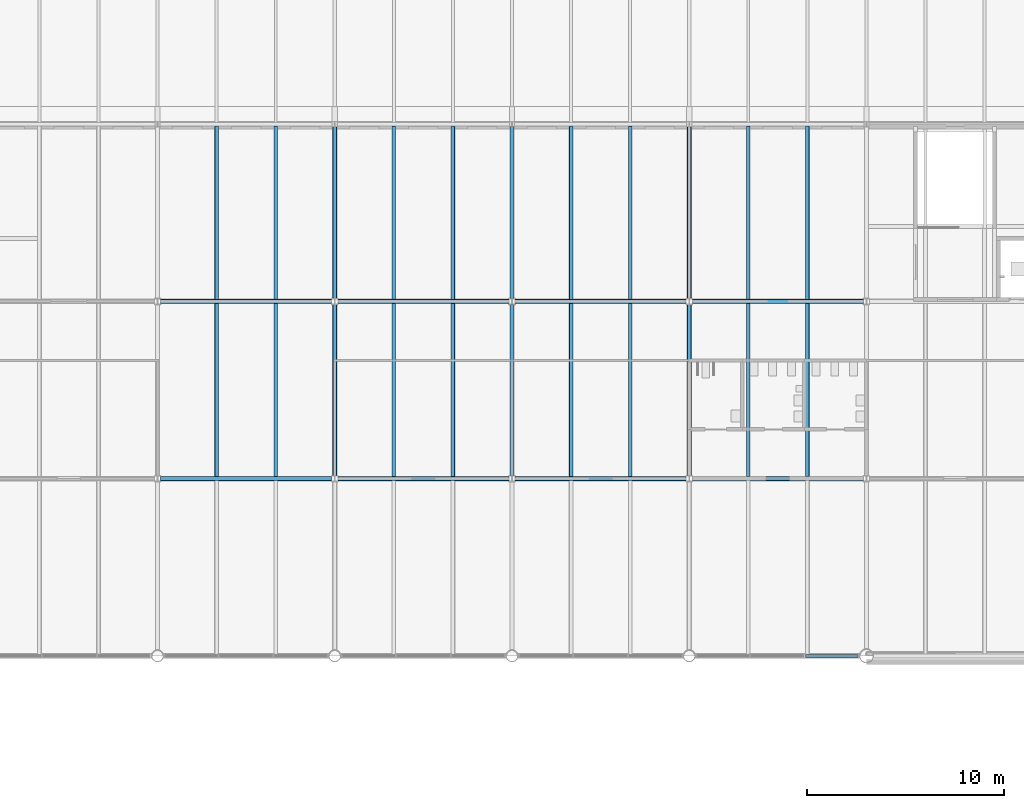
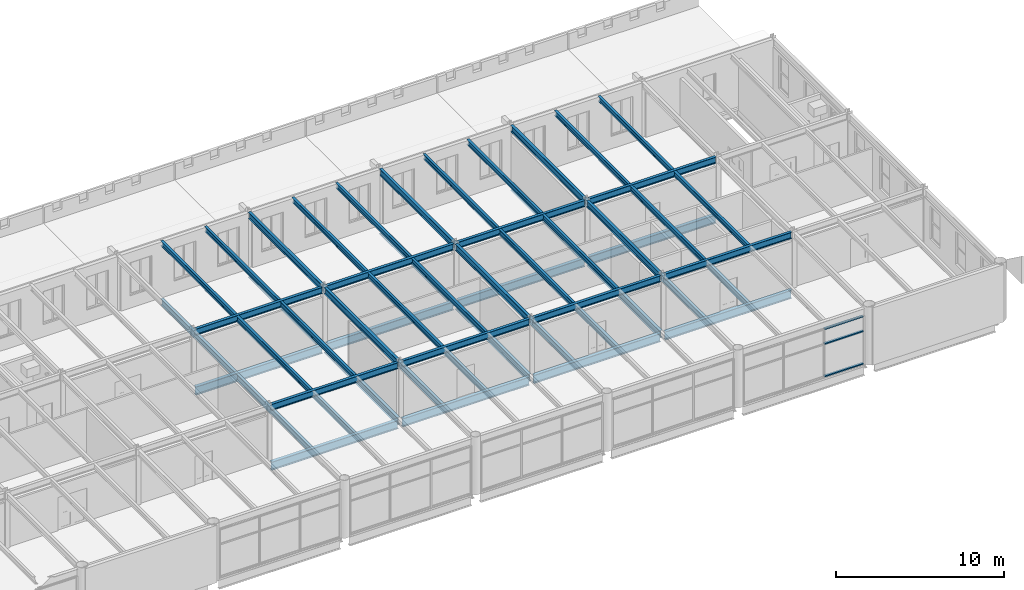
# One storey, part 48 of 123: 60 beams, 3 members, 1 element without a shape of its own.
"""IFC4 building model written with IfcOpenShell, lengths in metres."""

from ifc_helpers import new_model, si_unit, direction, frame, origin, origin_2d, place, context, subcontext, project, spatial, rectangle, i_section, extrude, material, material_profile, profile_set, type_object, element, aggregate, save


model = new_model("IFC4")

# Units and contexts
model_context = context("Model", 3, precision=1e-05, world=origin(), true_north=direction((0.0, 1.0)))
body_context = subcontext(model_context, "Body", "Model", "MODEL_VIEW")
ifc_project = project(units=[si_unit("LENGTHUNIT", "METRE"), si_unit("AREAUNIT", "SQUARE_METRE"), si_unit("VOLUMEUNIT", "CUBIC_METRE"), si_unit("PLANEANGLEUNIT", "RADIAN"), si_unit("MASSUNIT", "GRAM", prefix="KILO")], contexts=[model_context])

# Site, building, storey
site_placement = place(None, origin())
site = spatial("IfcSite", under=ifc_project, at=site_placement, CompositionType="ELEMENT")
building_placement = place(site_placement, origin())
building = spatial("IfcBuilding", under=site, at=building_placement, Name="Baradari Gate Terminus", CompositionType="ELEMENT")
storey_placement = place(building_placement, frame((0.0, 0.0, 7.5)))
storey = spatial("IfcBuildingStorey", under=building, at=storey_placement, Name="L01", CompositionType="ELEMENT", Elevation=7.5)

# Curtain wall, members
ifc_material_1 = material(Name="Aluminium 6063-T6", Category="aluminium")
curtain_wall_type = type_object("IfcCurtainWallType", Name="Curtain wall CW-13 concourse gallery glazing", PredefinedType="NOTDEFINED", material=ifc_material_1)
curtain_wall_placement = place(storey_placement, origin())
curtain_wall = element("IfcCurtainWall", 1, at=curtain_wall_placement, inside=storey, type_object=curtain_wall_type, Name="Glazed curtain wall CW-13 HS bay 26 L01", PredefinedType="NOTDEFINED")
ifc_material_2 = material(Name="Aluminium 6063-T6", Category="aluminium")
ifc_material_profile_1 = material_profile(ifc_material_2, rectangle(XDim=0.159912109375, YDim=0.080078125, at=origin_2d()), Name="CT-13 80X160")
ifc_profile_set_1 = profile_set([ifc_material_profile_1], Name="Aluminium 6063-T6")
member_type = type_object("IfcMemberType", Name="Curtain wall transom CT-13 80x160", PredefinedType="USERDEFINED", material=ifc_profile_set_1)
member_1_placement = place(storey_placement, frame((230.90478515625, 81.0, 0.0400390625), z_axis=(1.0, 0.0, 0.0), x_axis=(0.0, 1.0, 0.0)))
member_1 = element("IfcMember", 2, at=member_1_placement, type_object=member_type, Name="CW-13 transom 3.1", ObjectType="TRANSOM", PredefinedType="USERDEFINED", context=body_context, shape_type="SweptSolid", body=[
    extrude(rectangle(XDim=0.159912109375, YDim=0.080078125, at=origin_2d()), origin(), (0.0, 0.0, 1.0), 2.65966796875),
])
member_2_placement = place(storey_placement, frame((230.90478515625, 81.0, 2.39990234375), z_axis=(1.0, 0.0, 0.0), x_axis=(0.0, 1.0, 0.0)))
member_2 = element("IfcMember", 3, at=member_2_placement, type_object=member_type, Name="CW-13 transom 3.2", ObjectType="TRANSOM", PredefinedType="USERDEFINED", context=body_context, shape_type="SweptSolid", body=[
    extrude(rectangle(XDim=0.159912109375, YDim=0.080078125, at=origin_2d()), origin(), (0.0, 0.0, 1.0), 2.65966796875),
])
member_3_placement = place(storey_placement, frame((230.90478515625, 81.0, 3.476806640625), z_axis=(1.0, 0.0, 0.0), x_axis=(0.0, 1.0, 0.0)))
member_3 = element("IfcMember", 4, at=member_3_placement, type_object=member_type, Name="CW-13 transom 3.3", ObjectType="TRANSOM", PredefinedType="USERDEFINED", context=body_context, shape_type="SweptSolid", body=[
    extrude(rectangle(XDim=0.159912109375, YDim=0.080078125, at=origin_2d()), origin(), (0.0, 0.0, 1.0), 2.65966796875),
])
aggregate(curtain_wall, [member_1, member_2, member_3])

# Beams
ifc_material_3 = material(Name="Steel S355", Category="steel")
ifc_material_profile_2 = material_profile(ifc_material_3, i_section(OverallWidth=0.210693359375, OverallDepth=0.53955078125, WebThickness=0.01171875, FlangeThickness=0.018798828125, FilletRadius=0.0126953125, at=origin_2d()), Name="UB 533x210x109")
ifc_profile_set_2 = profile_set([ifc_material_profile_2], Name="Steel S355")
beam_type_1 = type_object("IfcBeamType", Name="Head-house cross girder B12 UB 533x210x109", PredefinedType="BEAM", material=ifc_profile_set_2)
beam_1_placement = place(storey_placement, frame((207.0, 90.1572265625, -0.399658203125), z_axis=(0.0, 1.0, 0.0), x_axis=(-1.0, 0.0, 0.0)))
element("IfcBeam", 5, at=beam_1_placement, inside=storey, type_object=beam_type_1, Name="Head-house cross girder B12 24:90.157-98.843 L01", PredefinedType="BEAM", context=body_context, shape_type="SweptSolid", body=[
    extrude(i_section(OverallWidth=0.210693359375, OverallDepth=0.53955078125, WebThickness=0.01171875, FlangeThickness=0.018798828125, FilletRadius=0.0126953125, at=origin_2d()), origin(), (0.0, 0.0, 1.0), 8.685546875),
])
beam_2_placement = place(storey_placement, frame((207.0, 99.1572265625, -0.399658203125), z_axis=(0.0, 1.0, 0.0), x_axis=(-1.0, 0.0, 0.0)))
element("IfcBeam", 6, at=beam_2_placement, inside=storey, type_object=beam_type_1, Name="Head-house cross girder B12 24:99.157-107.87 L01", PredefinedType="BEAM", context=body_context, shape_type="SweptSolid", body=[
    extrude(i_section(OverallWidth=0.210693359375, OverallDepth=0.53955078125, WebThickness=0.01171875, FlangeThickness=0.018798828125, FilletRadius=0.0126953125, at=origin_2d()), origin(), (0.0, 0.0, 1.0), 8.712646484375),
])
beam_3_placement = place(storey_placement, frame((216.0, 90.1572265625, -0.399658203125), z_axis=(0.0, 1.0, 0.0), x_axis=(-1.0, 0.0, 0.0)))
element("IfcBeam", 7, at=beam_3_placement, inside=storey, type_object=beam_type_1, Name="Head-house cross girder B12 25:90.157-98.843 L01", PredefinedType="BEAM", context=body_context, shape_type="SweptSolid", body=[
    extrude(i_section(OverallWidth=0.210693359375, OverallDepth=0.53955078125, WebThickness=0.01171875, FlangeThickness=0.018798828125, FilletRadius=0.0126953125, at=origin_2d()), origin(), (0.0, 0.0, 1.0), 8.685546875),
])
beam_4_placement = place(storey_placement, frame((216.0, 99.1572265625, -0.399658203125), z_axis=(0.0, 1.0, 0.0), x_axis=(-1.0, 0.0, 0.0)))
element("IfcBeam", 8, at=beam_4_placement, inside=storey, type_object=beam_type_1, Name="Head-house cross girder B12 25:99.157-107.87 L01", PredefinedType="BEAM", context=body_context, shape_type="SweptSolid", body=[
    extrude(i_section(OverallWidth=0.210693359375, OverallDepth=0.53955078125, WebThickness=0.01171875, FlangeThickness=0.018798828125, FilletRadius=0.0126953125, at=origin_2d()), origin(), (0.0, 0.0, 1.0), 8.712646484375),
])
beam_5_placement = place(storey_placement, frame((225.0, 90.1572265625, -0.399658203125), z_axis=(0.0, 1.0, 0.0), x_axis=(-1.0, 0.0, 0.0)))
element("IfcBeam", 9, at=beam_5_placement, inside=storey, type_object=beam_type_1, Name="Head-house cross girder B12 26:90.157-98.843 L01", PredefinedType="BEAM", context=body_context, shape_type="SweptSolid", body=[
    extrude(i_section(OverallWidth=0.210693359375, OverallDepth=0.53955078125, WebThickness=0.01171875, FlangeThickness=0.018798828125, FilletRadius=0.0126953125, at=origin_2d()), origin(), (0.0, 0.0, 1.0), 8.685546875),
])
beam_6_placement = place(storey_placement, frame((225.0, 99.1572265625, -0.399658203125), z_axis=(0.0, 1.0, 0.0), x_axis=(-1.0, 0.0, 0.0)))
element("IfcBeam", 10, at=beam_6_placement, inside=storey, type_object=beam_type_1, Name="Head-house cross girder B12 26:99.157-107.87 L01", PredefinedType="BEAM", context=body_context, shape_type="SweptSolid", body=[
    extrude(i_section(OverallWidth=0.210693359375, OverallDepth=0.53955078125, WebThickness=0.01171875, FlangeThickness=0.018798828125, FilletRadius=0.0126953125, at=origin_2d()), origin(), (0.0, 0.0, 1.0), 8.712646484375),
])
ifc_material_4 = material(Name="Steel S355", Category="steel")
ifc_material_profile_3 = material_profile(ifc_material_4, i_section(OverallWidth=0.22900390625, OverallDepth=0.6123046875, WebThickness=0.011962890625, FlangeThickness=0.01953125, FilletRadius=0.0126953125, at=origin_2d()), Name="UB 610x229x125")
ifc_profile_set_3 = profile_set([ifc_material_profile_3], Name="Steel S355")
beam_type_2 = type_object("IfcBeamType", Name="Head-house girder B09 UB 610x229x125", PredefinedType="BEAM", material=ifc_profile_set_3)
for number, where, z_axis, x_axis, name in (
    (11, (198.15380859375, 90.0, -0.43603515625), (1.0, 0.0, 0.0), (0.0, 1.0, 0.0), "Head-house girder B09 L:198.154-206.846 L01"),
    (12, (207.15380859375, 90.0, -0.43603515625), (1.0, 0.0, 0.0), (0.0, 1.0, 0.0), "Head-house girder B09 L:207.154-215.846 L01"),
    (13, (216.15380859375, 90.0, -0.43603515625), (1.0, 0.0, 0.0), (0.0, 1.0, 0.0), "Head-house girder B09 L:216.154-224.846 L01"),
    (14, (225.15380859375, 90.0, -0.43603515625), (1.0, 0.0, 0.0), (0.0, 1.0, 0.0), "Head-house girder B09 L:225.154-233.846 L01"),
    (15, (198.15380859375, 99.0, -0.43603515625), (1.0, 0.0, 0.0), (0.0, 1.0, 0.0), "Head-house girder B09 M:198.154-206.846 L01"),
    (16, (207.15380859375, 99.0, -0.43603515625), (1.0, 0.0, 0.0), (0.0, 1.0, 0.0), "Head-house girder B09 M:207.154-215.846 L01"),
    (17, (216.15380859375, 99.0, -0.43603515625), (1.0, 0.0, 0.0), (0.0, 1.0, 0.0), "Head-house girder B09 M:216.154-224.846 L01"),
    (18, (225.15380859375, 99.0, -0.43603515625), (1.0, 0.0, 0.0), (0.0, 1.0, 0.0), "Head-house girder B09 M:225.154-233.846 L01"),
):
    element("IfcBeam", number, at=place(storey_placement, frame(where, z_axis=z_axis, x_axis=x_axis)), inside=storey, type_object=beam_type_2, Name=name, PredefinedType="BEAM", context=body_context, shape_type="SweptSolid", body=[
        extrude(i_section(OverallWidth=0.22900390625, OverallDepth=0.6123046875, WebThickness=0.011962890625, FlangeThickness=0.01953125, FilletRadius=0.0126953125, at=origin_2d()), origin(), (0.0, 0.0, 1.0), 8.6923828125),
    ])
ifc_material_5 = material(Name="Steel S355", Category="steel")
ifc_material_profile_4 = material_profile(ifc_material_5, i_section(OverallWidth=0.1904296875, OverallDepth=0.45703125, WebThickness=0.009033203125, FlangeThickness=0.014404296875, FilletRadius=0.01025390625, at=origin_2d()), Name="UB 457x191x74")
ifc_profile_set_4 = profile_set([ifc_material_profile_4], Name="Steel S355")
beam_type_3 = type_object("IfcBeamType", Name="Head-house roof cross girder B51 UB 457x191x74", PredefinedType="BEAM", material=ifc_profile_set_4)
beam_7_placement = place(storey_placement, frame((207.0, 90.1572265625, 3.821533203125), z_axis=(0.0, 1.0, 0.0), x_axis=(-1.0, 0.0, 0.0)))
element("IfcBeam", 19, at=beam_7_placement, inside=storey, type_object=beam_type_3, Name="Head-house roof cross girder B51 24:90.157-98.843 L01", PredefinedType="BEAM", context=body_context, shape_type="SweptSolid", body=[
    extrude(i_section(OverallWidth=0.1904296875, OverallDepth=0.45703125, WebThickness=0.009033203125, FlangeThickness=0.014404296875, FilletRadius=0.01025390625, at=origin_2d()), origin(), (0.0, 0.0, 1.0), 8.685546875),
])
beam_8_placement = place(storey_placement, frame((207.0, 99.1572265625, 3.821533203125), z_axis=(0.0, 1.0, 0.0), x_axis=(-1.0, 0.0, 0.0)))
element("IfcBeam", 20, at=beam_8_placement, inside=storey, type_object=beam_type_3, Name="Head-house roof cross girder B51 24:99.157-107.87 L01", PredefinedType="BEAM", context=body_context, shape_type="SweptSolid", body=[
    extrude(i_section(OverallWidth=0.1904296875, OverallDepth=0.45703125, WebThickness=0.009033203125, FlangeThickness=0.014404296875, FilletRadius=0.01025390625, at=origin_2d()), origin(), (0.0, 0.0, 1.0), 8.712646484375),
])
beam_9_placement = place(storey_placement, frame((216.0, 90.1572265625, 3.821533203125), z_axis=(0.0, 1.0, 0.0), x_axis=(-1.0, 0.0, 0.0)))
element("IfcBeam", 21, at=beam_9_placement, inside=storey, type_object=beam_type_3, Name="Head-house roof cross girder B51 25:90.157-98.843 L01", PredefinedType="BEAM", context=body_context, shape_type="SweptSolid", body=[
    extrude(i_section(OverallWidth=0.1904296875, OverallDepth=0.45703125, WebThickness=0.009033203125, FlangeThickness=0.014404296875, FilletRadius=0.01025390625, at=origin_2d()), origin(), (0.0, 0.0, 1.0), 8.685546875),
])
beam_10_placement = place(storey_placement, frame((216.0, 99.1572265625, 3.821533203125), z_axis=(0.0, 1.0, 0.0), x_axis=(-1.0, 0.0, 0.0)))
element("IfcBeam", 22, at=beam_10_placement, inside=storey, type_object=beam_type_3, Name="Head-house roof cross girder B51 25:99.157-107.87 L01", PredefinedType="BEAM", context=body_context, shape_type="SweptSolid", body=[
    extrude(i_section(OverallWidth=0.1904296875, OverallDepth=0.45703125, WebThickness=0.009033203125, FlangeThickness=0.014404296875, FilletRadius=0.01025390625, at=origin_2d()), origin(), (0.0, 0.0, 1.0), 8.712646484375),
])
beam_11_placement = place(storey_placement, frame((225.0, 90.1572265625, 3.821533203125), z_axis=(0.0, 1.0, 0.0), x_axis=(-1.0, 0.0, 0.0)))
element("IfcBeam", 23, at=beam_11_placement, inside=storey, type_object=beam_type_3, Name="Head-house roof cross girder B51 26:90.157-98.843 L01", PredefinedType="BEAM", context=body_context, shape_type="SweptSolid", body=[
    extrude(i_section(OverallWidth=0.1904296875, OverallDepth=0.45703125, WebThickness=0.009033203125, FlangeThickness=0.014404296875, FilletRadius=0.01025390625, at=origin_2d()), origin(), (0.0, 0.0, 1.0), 8.685546875),
])
beam_12_placement = place(storey_placement, frame((225.0, 99.1572265625, 3.821533203125), z_axis=(0.0, 1.0, 0.0), x_axis=(-1.0, 0.0, 0.0)))
element("IfcBeam", 24, at=beam_12_placement, inside=storey, type_object=beam_type_3, Name="Head-house roof cross girder B51 26:99.157-107.87 L01", PredefinedType="BEAM", context=body_context, shape_type="SweptSolid", body=[
    extrude(i_section(OverallWidth=0.1904296875, OverallDepth=0.45703125, WebThickness=0.009033203125, FlangeThickness=0.014404296875, FilletRadius=0.01025390625, at=origin_2d()), origin(), (0.0, 0.0, 1.0), 8.712646484375),
])
ifc_material_6 = material(Name="Steel S355", Category="steel")
ifc_material_profile_5 = material_profile(ifc_material_6, i_section(OverallWidth=0.19140625, OverallDepth=0.4599609375, WebThickness=0.010009765625, FlangeThickness=0.01611328125, FilletRadius=0.01025390625, at=origin_2d()), Name="UB 457x191x82")
ifc_profile_set_5 = profile_set([ifc_material_profile_5], Name="Steel S355")
beam_type_4 = type_object("IfcBeamType", Name="Head-house roof girder B49 UB 457x191x82", PredefinedType="BEAM", material=ifc_profile_set_5)
for number, where, z_axis, x_axis, name in (
    (25, (198.15380859375, 90.0, 3.820068359375), (1.0, 0.0, 0.0), (0.0, 1.0, 0.0), "Head-house roof girder B49 L:198.154-206.846 L01"),
    (26, (207.15380859375, 90.0, 3.820068359375), (1.0, 0.0, 0.0), (0.0, 1.0, 0.0), "Head-house roof girder B49 L:207.154-215.846 L01"),
    (27, (216.15380859375, 90.0, 3.820068359375), (1.0, 0.0, 0.0), (0.0, 1.0, 0.0), "Head-house roof girder B49 L:216.154-224.846 L01"),
    (28, (225.15380859375, 90.0, 3.820068359375), (1.0, 0.0, 0.0), (0.0, 1.0, 0.0), "Head-house roof girder B49 L:225.154-233.846 L01"),
    (29, (198.15380859375, 99.0, 3.820068359375), (1.0, 0.0, 0.0), (0.0, 1.0, 0.0), "Head-house roof girder B49 M:198.154-206.846 L01"),
    (30, (207.15380859375, 99.0, 3.820068359375), (1.0, 0.0, 0.0), (0.0, 1.0, 0.0), "Head-house roof girder B49 M:207.154-215.846 L01"),
    (31, (216.15380859375, 99.0, 3.820068359375), (1.0, 0.0, 0.0), (0.0, 1.0, 0.0), "Head-house roof girder B49 M:216.154-224.846 L01"),
    (32, (225.15380859375, 99.0, 3.820068359375), (1.0, 0.0, 0.0), (0.0, 1.0, 0.0), "Head-house roof girder B49 M:225.154-233.846 L01"),
):
    element("IfcBeam", number, at=place(storey_placement, frame(where, z_axis=z_axis, x_axis=x_axis)), inside=storey, type_object=beam_type_4, Name=name, PredefinedType="BEAM", context=body_context, shape_type="SweptSolid", body=[
        extrude(i_section(OverallWidth=0.19140625, OverallDepth=0.4599609375, WebThickness=0.010009765625, FlangeThickness=0.01611328125, FilletRadius=0.01025390625, at=origin_2d()), origin(), (0.0, 0.0, 1.0), 8.6923828125),
    ])
ifc_material_7 = material(Name="Steel S355", Category="steel")
ifc_material_profile_6 = material_profile(ifc_material_7, i_section(OverallWidth=0.17138671875, OverallDepth=0.35498046875, WebThickness=0.00732421875, FlangeThickness=0.011474609375, FilletRadius=0.01025390625, at=origin_2d()), Name="UB 356x171x51")
ifc_profile_set_6 = profile_set([ifc_material_profile_6], Name="Steel S355")
beam_type_5 = type_object("IfcBeamType", Name="Head-house roof secondary beam B50 UB 356x171x51", PredefinedType="BEAM", material=ifc_profile_set_6)
beam_13_placement = place(storey_placement, frame((201.0, 90.095703125, 3.87255859375), z_axis=(0.0, 1.0, 0.0), x_axis=(-1.0, 0.0, 0.0)))
element("IfcBeam", 33, at=beam_13_placement, inside=storey, type_object=beam_type_5, Name="Head-house roof secondary beam B50 201:90.096-98.904 L01", PredefinedType="BEAM", context=body_context, shape_type="SweptSolid", body=[
    extrude(i_section(OverallWidth=0.17138671875, OverallDepth=0.35498046875, WebThickness=0.00732421875, FlangeThickness=0.011474609375, FilletRadius=0.01025390625, at=origin_2d()), origin(), (0.0, 0.0, 1.0), 8.80859375),
])
beam_14_placement = place(storey_placement, frame((201.0, 99.095703125, 3.87255859375), z_axis=(0.0, 1.0, 0.0), x_axis=(-1.0, 0.0, 0.0)))
element("IfcBeam", 34, at=beam_14_placement, inside=storey, type_object=beam_type_5, Name="Head-house roof secondary beam B50 201:99.096-107.895 L01", PredefinedType="BEAM", context=body_context, shape_type="SweptSolid", body=[
    extrude(i_section(OverallWidth=0.17138671875, OverallDepth=0.35498046875, WebThickness=0.00732421875, FlangeThickness=0.011474609375, FilletRadius=0.01025390625, at=origin_2d()), origin(), (0.0, 0.0, 1.0), 8.799560546875),
])
beam_15_placement = place(storey_placement, frame((204.0, 90.095703125, 3.87255859375), z_axis=(0.0, 1.0, 0.0), x_axis=(-1.0, 0.0, 0.0)))
element("IfcBeam", 35, at=beam_15_placement, inside=storey, type_object=beam_type_5, Name="Head-house roof secondary beam B50 204:90.096-98.904 L01", PredefinedType="BEAM", context=body_context, shape_type="SweptSolid", body=[
    extrude(i_section(OverallWidth=0.17138671875, OverallDepth=0.35498046875, WebThickness=0.00732421875, FlangeThickness=0.011474609375, FilletRadius=0.01025390625, at=origin_2d()), origin(), (0.0, 0.0, 1.0), 8.80859375),
])
beam_16_placement = place(storey_placement, frame((204.0, 99.095703125, 3.87255859375), z_axis=(0.0, 1.0, 0.0), x_axis=(-1.0, 0.0, 0.0)))
element("IfcBeam", 36, at=beam_16_placement, inside=storey, type_object=beam_type_5, Name="Head-house roof secondary beam B50 204:99.096-107.895 L01", PredefinedType="BEAM", context=body_context, shape_type="SweptSolid", body=[
    extrude(i_section(OverallWidth=0.17138671875, OverallDepth=0.35498046875, WebThickness=0.00732421875, FlangeThickness=0.011474609375, FilletRadius=0.01025390625, at=origin_2d()), origin(), (0.0, 0.0, 1.0), 8.799560546875),
])
beam_17_placement = place(storey_placement, frame((210.0, 90.095703125, 3.87255859375), z_axis=(0.0, 1.0, 0.0), x_axis=(-1.0, 0.0, 0.0)))
element("IfcBeam", 37, at=beam_17_placement, inside=storey, type_object=beam_type_5, Name="Head-house roof secondary beam B50 210:90.096-98.904 L01", PredefinedType="BEAM", context=body_context, shape_type="SweptSolid", body=[
    extrude(i_section(OverallWidth=0.17138671875, OverallDepth=0.35498046875, WebThickness=0.00732421875, FlangeThickness=0.011474609375, FilletRadius=0.01025390625, at=origin_2d()), origin(), (0.0, 0.0, 1.0), 8.80859375),
])
beam_18_placement = place(storey_placement, frame((210.0, 99.095703125, 3.87255859375), z_axis=(0.0, 1.0, 0.0), x_axis=(-1.0, 0.0, 0.0)))
element("IfcBeam", 38, at=beam_18_placement, inside=storey, type_object=beam_type_5, Name="Head-house roof secondary beam B50 210:99.096-107.895 L01", PredefinedType="BEAM", context=body_context, shape_type="SweptSolid", body=[
    extrude(i_section(OverallWidth=0.17138671875, OverallDepth=0.35498046875, WebThickness=0.00732421875, FlangeThickness=0.011474609375, FilletRadius=0.01025390625, at=origin_2d()), origin(), (0.0, 0.0, 1.0), 8.799560546875),
])
beam_19_placement = place(storey_placement, frame((213.0, 90.095703125, 3.87255859375), z_axis=(0.0, 1.0, 0.0), x_axis=(-1.0, 0.0, 0.0)))
element("IfcBeam", 39, at=beam_19_placement, inside=storey, type_object=beam_type_5, Name="Head-house roof secondary beam B50 213:90.096-98.904 L01", PredefinedType="BEAM", context=body_context, shape_type="SweptSolid", body=[
    extrude(i_section(OverallWidth=0.17138671875, OverallDepth=0.35498046875, WebThickness=0.00732421875, FlangeThickness=0.011474609375, FilletRadius=0.01025390625, at=origin_2d()), origin(), (0.0, 0.0, 1.0), 8.80859375),
])
beam_20_placement = place(storey_placement, frame((213.0, 99.095703125, 3.87255859375), z_axis=(0.0, 1.0, 0.0), x_axis=(-1.0, 0.0, 0.0)))
element("IfcBeam", 40, at=beam_20_placement, inside=storey, type_object=beam_type_5, Name="Head-house roof secondary beam B50 213:99.096-107.895 L01", PredefinedType="BEAM", context=body_context, shape_type="SweptSolid", body=[
    extrude(i_section(OverallWidth=0.17138671875, OverallDepth=0.35498046875, WebThickness=0.00732421875, FlangeThickness=0.011474609375, FilletRadius=0.01025390625, at=origin_2d()), origin(), (0.0, 0.0, 1.0), 8.799560546875),
])
beam_21_placement = place(storey_placement, frame((219.0, 90.095703125, 3.87255859375), z_axis=(0.0, 1.0, 0.0), x_axis=(-1.0, 0.0, 0.0)))
element("IfcBeam", 41, at=beam_21_placement, inside=storey, type_object=beam_type_5, Name="Head-house roof secondary beam B50 219:90.096-98.904 L01", PredefinedType="BEAM", context=body_context, shape_type="SweptSolid", body=[
    extrude(i_section(OverallWidth=0.17138671875, OverallDepth=0.35498046875, WebThickness=0.00732421875, FlangeThickness=0.011474609375, FilletRadius=0.01025390625, at=origin_2d()), origin(), (0.0, 0.0, 1.0), 8.80859375),
])
beam_22_placement = place(storey_placement, frame((219.0, 99.095703125, 3.87255859375), z_axis=(0.0, 1.0, 0.0), x_axis=(-1.0, 0.0, 0.0)))
element("IfcBeam", 42, at=beam_22_placement, inside=storey, type_object=beam_type_5, Name="Head-house roof secondary beam B50 219:99.096-107.895 L01", PredefinedType="BEAM", context=body_context, shape_type="SweptSolid", body=[
    extrude(i_section(OverallWidth=0.17138671875, OverallDepth=0.35498046875, WebThickness=0.00732421875, FlangeThickness=0.011474609375, FilletRadius=0.01025390625, at=origin_2d()), origin(), (0.0, 0.0, 1.0), 8.799560546875),
])
beam_23_placement = place(storey_placement, frame((222.0, 90.095703125, 3.87255859375), z_axis=(0.0, 1.0, 0.0), x_axis=(-1.0, 0.0, 0.0)))
element("IfcBeam", 43, at=beam_23_placement, inside=storey, type_object=beam_type_5, Name="Head-house roof secondary beam B50 222:90.096-98.904 L01", PredefinedType="BEAM", context=body_context, shape_type="SweptSolid", body=[
    extrude(i_section(OverallWidth=0.17138671875, OverallDepth=0.35498046875, WebThickness=0.00732421875, FlangeThickness=0.011474609375, FilletRadius=0.01025390625, at=origin_2d()), origin(), (0.0, 0.0, 1.0), 8.80859375),
])
beam_24_placement = place(storey_placement, frame((222.0, 99.095703125, 3.87255859375), z_axis=(0.0, 1.0, 0.0), x_axis=(-1.0, 0.0, 0.0)))
element("IfcBeam", 44, at=beam_24_placement, inside=storey, type_object=beam_type_5, Name="Head-house roof secondary beam B50 222:99.096-107.895 L01", PredefinedType="BEAM", context=body_context, shape_type="SweptSolid", body=[
    extrude(i_section(OverallWidth=0.17138671875, OverallDepth=0.35498046875, WebThickness=0.00732421875, FlangeThickness=0.011474609375, FilletRadius=0.01025390625, at=origin_2d()), origin(), (0.0, 0.0, 1.0), 8.799560546875),
])
beam_25_placement = place(storey_placement, frame((228.0, 90.095703125, 3.87255859375), z_axis=(0.0, 1.0, 0.0), x_axis=(-1.0, 0.0, 0.0)))
element("IfcBeam", 45, at=beam_25_placement, inside=storey, type_object=beam_type_5, Name="Head-house roof secondary beam B50 228:90.096-98.904 L01", PredefinedType="BEAM", context=body_context, shape_type="SweptSolid", body=[
    extrude(i_section(OverallWidth=0.17138671875, OverallDepth=0.35498046875, WebThickness=0.00732421875, FlangeThickness=0.011474609375, FilletRadius=0.01025390625, at=origin_2d()), origin(), (0.0, 0.0, 1.0), 8.80859375),
])
beam_26_placement = place(storey_placement, frame((228.0, 99.095703125, 3.87255859375), z_axis=(0.0, 1.0, 0.0), x_axis=(-1.0, 0.0, 0.0)))
element("IfcBeam", 46, at=beam_26_placement, inside=storey, type_object=beam_type_5, Name="Head-house roof secondary beam B50 228:99.096-107.895 L01", PredefinedType="BEAM", context=body_context, shape_type="SweptSolid", body=[
    extrude(i_section(OverallWidth=0.17138671875, OverallDepth=0.35498046875, WebThickness=0.00732421875, FlangeThickness=0.011474609375, FilletRadius=0.01025390625, at=origin_2d()), origin(), (0.0, 0.0, 1.0), 8.799560546875),
])
beam_27_placement = place(storey_placement, frame((231.0, 90.095703125, 3.87255859375), z_axis=(0.0, 1.0, 0.0), x_axis=(-1.0, 0.0, 0.0)))
element("IfcBeam", 47, at=beam_27_placement, inside=storey, type_object=beam_type_5, Name="Head-house roof secondary beam B50 231:90.096-98.904 L01", PredefinedType="BEAM", context=body_context, shape_type="SweptSolid", body=[
    extrude(i_section(OverallWidth=0.17138671875, OverallDepth=0.35498046875, WebThickness=0.00732421875, FlangeThickness=0.011474609375, FilletRadius=0.01025390625, at=origin_2d()), origin(), (0.0, 0.0, 1.0), 8.80859375),
])
beam_28_placement = place(storey_placement, frame((231.0, 99.095703125, 3.87255859375), z_axis=(0.0, 1.0, 0.0), x_axis=(-1.0, 0.0, 0.0)))
element("IfcBeam", 48, at=beam_28_placement, inside=storey, type_object=beam_type_5, Name="Head-house roof secondary beam B50 231:99.096-107.895 L01", PredefinedType="BEAM", context=body_context, shape_type="SweptSolid", body=[
    extrude(i_section(OverallWidth=0.17138671875, OverallDepth=0.35498046875, WebThickness=0.00732421875, FlangeThickness=0.011474609375, FilletRadius=0.01025390625, at=origin_2d()), origin(), (0.0, 0.0, 1.0), 8.799560546875),
])
ifc_material_8 = material(Name="Steel S355", Category="steel")
ifc_material_profile_7 = material_profile(ifc_material_8, i_section(OverallWidth=0.18994140625, OverallDepth=0.453369140625, WebThickness=0.008544921875, FlangeThickness=0.0126953125, FilletRadius=0.01025390625, at=origin_2d()), Name="UB 457x191x67")
ifc_profile_set_7 = profile_set([ifc_material_profile_7], Name="Steel S355")
beam_type_6 = type_object("IfcBeamType", Name="Head-house secondary beam B11 UB 457x191x67", PredefinedType="BEAM", material=ifc_profile_set_7)
beam_29_placement = place(storey_placement, frame((201.0, 90.114501953125, -0.356689453125), z_axis=(0.0, 1.0, 0.0), x_axis=(-1.0, 0.0, 0.0)))
element("IfcBeam", 49, at=beam_29_placement, inside=storey, type_object=beam_type_6, Name="Head-house secondary beam B11 201:90.115-98.885 L01", PredefinedType="BEAM", context=body_context, shape_type="SweptSolid", body=[
    extrude(i_section(OverallWidth=0.18994140625, OverallDepth=0.453369140625, WebThickness=0.008544921875, FlangeThickness=0.0126953125, FilletRadius=0.01025390625, at=origin_2d()), origin(), (0.0, 0.0, 1.0), 8.77099609375),
])
beam_30_placement = place(storey_placement, frame((201.0, 99.114501953125, -0.356689453125), z_axis=(0.0, 1.0, 0.0), x_axis=(-1.0, 0.0, 0.0)))
element("IfcBeam", 50, at=beam_30_placement, inside=storey, type_object=beam_type_6, Name="Head-house secondary beam B11 201:99.115-107.874 L01", PredefinedType="BEAM", context=body_context, shape_type="SweptSolid", body=[
    extrude(i_section(OverallWidth=0.18994140625, OverallDepth=0.453369140625, WebThickness=0.008544921875, FlangeThickness=0.0126953125, FilletRadius=0.01025390625, at=origin_2d()), origin(), (0.0, 0.0, 1.0), 8.759033203125),
])
beam_31_placement = place(storey_placement, frame((204.0, 90.114501953125, -0.356689453125), z_axis=(0.0, 1.0, 0.0), x_axis=(-1.0, 0.0, 0.0)))
element("IfcBeam", 51, at=beam_31_placement, inside=storey, type_object=beam_type_6, Name="Head-house secondary beam B11 204:90.115-98.885 L01", PredefinedType="BEAM", context=body_context, shape_type="SweptSolid", body=[
    extrude(i_section(OverallWidth=0.18994140625, OverallDepth=0.453369140625, WebThickness=0.008544921875, FlangeThickness=0.0126953125, FilletRadius=0.01025390625, at=origin_2d()), origin(), (0.0, 0.0, 1.0), 8.77099609375),
])
beam_32_placement = place(storey_placement, frame((204.0, 99.114501953125, -0.356689453125), z_axis=(0.0, 1.0, 0.0), x_axis=(-1.0, 0.0, 0.0)))
element("IfcBeam", 52, at=beam_32_placement, inside=storey, type_object=beam_type_6, Name="Head-house secondary beam B11 204:99.115-107.874 L01", PredefinedType="BEAM", context=body_context, shape_type="SweptSolid", body=[
    extrude(i_section(OverallWidth=0.18994140625, OverallDepth=0.453369140625, WebThickness=0.008544921875, FlangeThickness=0.0126953125, FilletRadius=0.01025390625, at=origin_2d()), origin(), (0.0, 0.0, 1.0), 8.759033203125),
])
beam_33_placement = place(storey_placement, frame((210.0, 90.114501953125, -0.356689453125), z_axis=(0.0, 1.0, 0.0), x_axis=(-1.0, 0.0, 0.0)))
element("IfcBeam", 53, at=beam_33_placement, inside=storey, type_object=beam_type_6, Name="Head-house secondary beam B11 210:90.115-98.885 L01", PredefinedType="BEAM", context=body_context, shape_type="SweptSolid", body=[
    extrude(i_section(OverallWidth=0.18994140625, OverallDepth=0.453369140625, WebThickness=0.008544921875, FlangeThickness=0.0126953125, FilletRadius=0.01025390625, at=origin_2d()), origin(), (0.0, 0.0, 1.0), 8.77099609375),
])
beam_34_placement = place(storey_placement, frame((210.0, 99.114501953125, -0.356689453125), z_axis=(0.0, 1.0, 0.0), x_axis=(-1.0, 0.0, 0.0)))
element("IfcBeam", 54, at=beam_34_placement, inside=storey, type_object=beam_type_6, Name="Head-house secondary beam B11 210:99.115-107.874 L01", PredefinedType="BEAM", context=body_context, shape_type="SweptSolid", body=[
    extrude(i_section(OverallWidth=0.18994140625, OverallDepth=0.453369140625, WebThickness=0.008544921875, FlangeThickness=0.0126953125, FilletRadius=0.01025390625, at=origin_2d()), origin(), (0.0, 0.0, 1.0), 8.759033203125),
])
beam_35_placement = place(storey_placement, frame((213.0, 90.114501953125, -0.356689453125), z_axis=(0.0, 1.0, 0.0), x_axis=(-1.0, 0.0, 0.0)))
element("IfcBeam", 55, at=beam_35_placement, inside=storey, type_object=beam_type_6, Name="Head-house secondary beam B11 213:90.115-98.885 L01", PredefinedType="BEAM", context=body_context, shape_type="SweptSolid", body=[
    extrude(i_section(OverallWidth=0.18994140625, OverallDepth=0.453369140625, WebThickness=0.008544921875, FlangeThickness=0.0126953125, FilletRadius=0.01025390625, at=origin_2d()), origin(), (0.0, 0.0, 1.0), 8.77099609375),
])
beam_36_placement = place(storey_placement, frame((213.0, 99.114501953125, -0.356689453125), z_axis=(0.0, 1.0, 0.0), x_axis=(-1.0, 0.0, 0.0)))
element("IfcBeam", 56, at=beam_36_placement, inside=storey, type_object=beam_type_6, Name="Head-house secondary beam B11 213:99.115-107.874 L01", PredefinedType="BEAM", context=body_context, shape_type="SweptSolid", body=[
    extrude(i_section(OverallWidth=0.18994140625, OverallDepth=0.453369140625, WebThickness=0.008544921875, FlangeThickness=0.0126953125, FilletRadius=0.01025390625, at=origin_2d()), origin(), (0.0, 0.0, 1.0), 8.759033203125),
])
beam_37_placement = place(storey_placement, frame((219.0, 90.114501953125, -0.356689453125), z_axis=(0.0, 1.0, 0.0), x_axis=(-1.0, 0.0, 0.0)))
element("IfcBeam", 57, at=beam_37_placement, inside=storey, type_object=beam_type_6, Name="Head-house secondary beam B11 219:90.115-98.885 L01", PredefinedType="BEAM", context=body_context, shape_type="SweptSolid", body=[
    extrude(i_section(OverallWidth=0.18994140625, OverallDepth=0.453369140625, WebThickness=0.008544921875, FlangeThickness=0.0126953125, FilletRadius=0.01025390625, at=origin_2d()), origin(), (0.0, 0.0, 1.0), 8.77099609375),
])
beam_38_placement = place(storey_placement, frame((219.0, 99.114501953125, -0.356689453125), z_axis=(0.0, 1.0, 0.0), x_axis=(-1.0, 0.0, 0.0)))
element("IfcBeam", 58, at=beam_38_placement, inside=storey, type_object=beam_type_6, Name="Head-house secondary beam B11 219:99.115-107.874 L01", PredefinedType="BEAM", context=body_context, shape_type="SweptSolid", body=[
    extrude(i_section(OverallWidth=0.18994140625, OverallDepth=0.453369140625, WebThickness=0.008544921875, FlangeThickness=0.0126953125, FilletRadius=0.01025390625, at=origin_2d()), origin(), (0.0, 0.0, 1.0), 8.759033203125),
])
beam_39_placement = place(storey_placement, frame((222.0, 90.114501953125, -0.356689453125), z_axis=(0.0, 1.0, 0.0), x_axis=(-1.0, 0.0, 0.0)))
element("IfcBeam", 59, at=beam_39_placement, inside=storey, type_object=beam_type_6, Name="Head-house secondary beam B11 222:90.115-98.885 L01", PredefinedType="BEAM", context=body_context, shape_type="SweptSolid", body=[
    extrude(i_section(OverallWidth=0.18994140625, OverallDepth=0.453369140625, WebThickness=0.008544921875, FlangeThickness=0.0126953125, FilletRadius=0.01025390625, at=origin_2d()), origin(), (0.0, 0.0, 1.0), 8.77099609375),
])
beam_40_placement = place(storey_placement, frame((222.0, 99.114501953125, -0.356689453125), z_axis=(0.0, 1.0, 0.0), x_axis=(-1.0, 0.0, 0.0)))
element("IfcBeam", 60, at=beam_40_placement, inside=storey, type_object=beam_type_6, Name="Head-house secondary beam B11 222:99.115-107.874 L01", PredefinedType="BEAM", context=body_context, shape_type="SweptSolid", body=[
    extrude(i_section(OverallWidth=0.18994140625, OverallDepth=0.453369140625, WebThickness=0.008544921875, FlangeThickness=0.0126953125, FilletRadius=0.01025390625, at=origin_2d()), origin(), (0.0, 0.0, 1.0), 8.759033203125),
])
beam_41_placement = place(storey_placement, frame((228.0, 90.114501953125, -0.356689453125), z_axis=(0.0, 1.0, 0.0), x_axis=(-1.0, 0.0, 0.0)))
element("IfcBeam", 61, at=beam_41_placement, inside=storey, type_object=beam_type_6, Name="Head-house secondary beam B11 228:90.115-98.885 L01", PredefinedType="BEAM", context=body_context, shape_type="SweptSolid", body=[
    extrude(i_section(OverallWidth=0.18994140625, OverallDepth=0.453369140625, WebThickness=0.008544921875, FlangeThickness=0.0126953125, FilletRadius=0.01025390625, at=origin_2d()), origin(), (0.0, 0.0, 1.0), 8.77099609375),
])
beam_42_placement = place(storey_placement, frame((228.0, 99.114501953125, -0.356689453125), z_axis=(0.0, 1.0, 0.0), x_axis=(-1.0, 0.0, 0.0)))
element("IfcBeam", 62, at=beam_42_placement, inside=storey, type_object=beam_type_6, Name="Head-house secondary beam B11 228:99.115-107.874 L01", PredefinedType="BEAM", context=body_context, shape_type="SweptSolid", body=[
    extrude(i_section(OverallWidth=0.18994140625, OverallDepth=0.453369140625, WebThickness=0.008544921875, FlangeThickness=0.0126953125, FilletRadius=0.01025390625, at=origin_2d()), origin(), (0.0, 0.0, 1.0), 8.759033203125),
])
beam_43_placement = place(storey_placement, frame((231.0, 90.114501953125, -0.356689453125), z_axis=(0.0, 1.0, 0.0), x_axis=(-1.0, 0.0, 0.0)))
element("IfcBeam", 63, at=beam_43_placement, inside=storey, type_object=beam_type_6, Name="Head-house secondary beam B11 231:90.115-98.885 L01", PredefinedType="BEAM", context=body_context, shape_type="SweptSolid", body=[
    extrude(i_section(OverallWidth=0.18994140625, OverallDepth=0.453369140625, WebThickness=0.008544921875, FlangeThickness=0.0126953125, FilletRadius=0.01025390625, at=origin_2d()), origin(), (0.0, 0.0, 1.0), 8.77099609375),
])
beam_44_placement = place(storey_placement, frame((231.0, 99.114501953125, -0.356689453125), z_axis=(0.0, 1.0, 0.0), x_axis=(-1.0, 0.0, 0.0)))
element("IfcBeam", 64, at=beam_44_placement, inside=storey, type_object=beam_type_6, Name="Head-house secondary beam B11 231:99.115-107.874 L01", PredefinedType="BEAM", context=body_context, shape_type="SweptSolid", body=[
    extrude(i_section(OverallWidth=0.18994140625, OverallDepth=0.453369140625, WebThickness=0.008544921875, FlangeThickness=0.0126953125, FilletRadius=0.01025390625, at=origin_2d()), origin(), (0.0, 0.0, 1.0), 8.759033203125),
])

save(model, "model.ifc")
